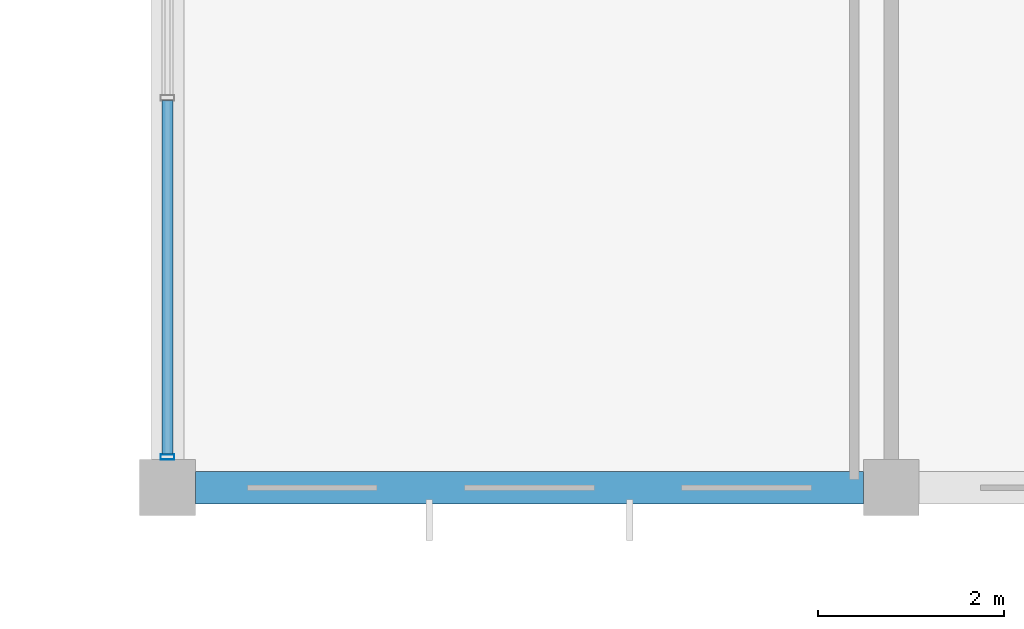
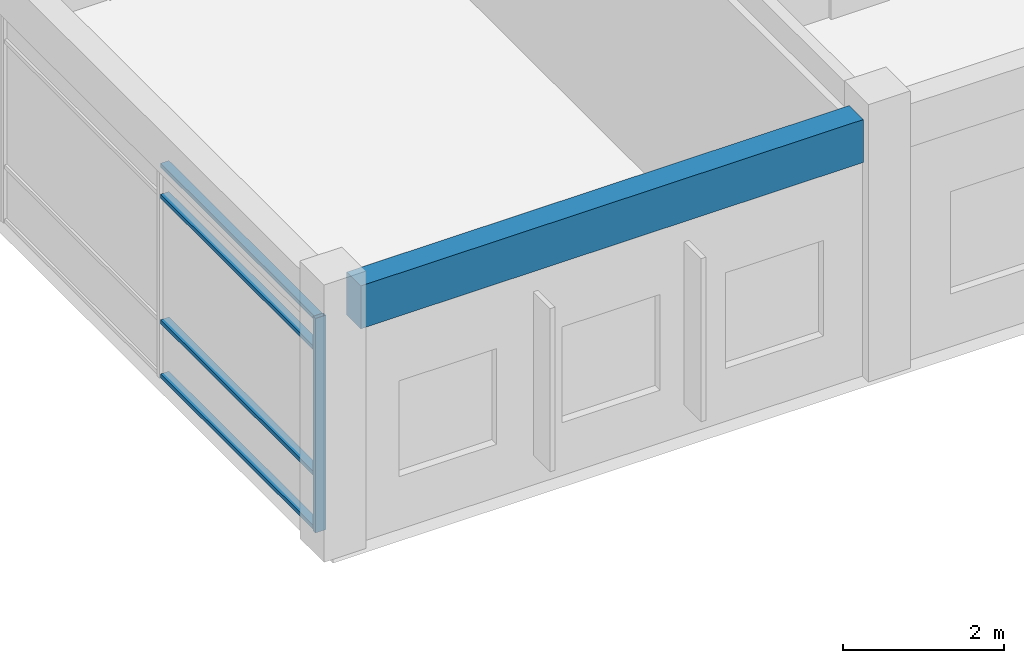
# One storey, part 8 of 32: 5 members, 1 beam, 1 element without a shape of its own.
"""IFC4 building model written with IfcOpenShell, lengths in metres."""

from ifc_helpers import new_model, si_unit, direction, frame, origin, origin_2d, place, context, subcontext, project, spatial, rectangle, hollow_rectangle, extrude, material, material_profile, profile_set, type_object, element, aggregate, save


model = new_model("IFC4")

# Units and contexts
model_context = context("Model", 3, precision=1e-05, world=origin(), true_north=direction((0.0, 1.0)))
body_context = subcontext(model_context, "Body", "Model", "MODEL_VIEW")
ifc_project = project(units=[si_unit("LENGTHUNIT", "METRE"), si_unit("AREAUNIT", "SQUARE_METRE"), si_unit("VOLUMEUNIT", "CUBIC_METRE"), si_unit("PLANEANGLEUNIT", "RADIAN"), si_unit("MASSUNIT", "GRAM", prefix="KILO"), si_unit("THERMODYNAMICTEMPERATUREUNIT", "KELVIN"), si_unit("POWERUNIT", "WATT")], contexts=[model_context])

# Site, building, storey
site_placement = place(None, origin())
site = spatial("IfcSite", under=ifc_project, at=site_placement, CompositionType="ELEMENT")
building_placement = place(site_placement, origin())
building = spatial("IfcBuilding", under=site, at=building_placement, Name="Srebrne Nadtorze General Hospital", CompositionType="ELEMENT")
storey_placement = place(building_placement, frame((0.0, 0.0, 29.699951171875)))
storey = spatial("IfcBuildingStorey", under=building, at=storey_placement, Name="L07", CompositionType="ELEMENT", Elevation=29.699951171875)

# Curtain wall, members
ifc_material_1 = material(Name="Anodised Aluminium", Category="aluminium")
curtain_wall_type = type_object("IfcCurtainWallType", Name="Unitised curtain wall 7800x3250", PredefinedType="NOTDEFINED", material=ifc_material_1)
curtain_wall_placement = place(storey_placement, origin())
curtain_wall = element("IfcCurtainWall", 1, at=curtain_wall_placement, inside=storey, type_object=curtain_wall_type, Name="Curtain wall CW-156", PredefinedType="NOTDEFINED")
ifc_material_2 = material(Name="Anodised Aluminium", Category="aluminium")
ifc_material_profile_1 = material_profile(ifc_material_2, hollow_rectangle(XDim=0.06005859375, YDim=0.14990234375, WallThickness=0.00390625, at=origin_2d()), Name="AL-MUL-60x150")
ifc_profile_set_1 = profile_set([ifc_material_profile_1], Name="Anodised Aluminium")
member_type_1 = type_object("IfcMemberType", Name="Curtain mullion 60x150", PredefinedType="MULLION", material=ifc_profile_set_1)
member_1_placement = place(storey_placement, frame((101.39990234375, 33.929931640625, 0.0), z_axis=(0.0, 0.0, 1.0), x_axis=(0.0, 1.0, 0.0)))
member_1 = element("IfcMember", 2, at=member_1_placement, type_object=member_type_1, Name="CW-156 mullion 1", PredefinedType="MULLION", context=body_context, shape_type="SweptSolid", body=[
    extrude(hollow_rectangle(XDim=0.06005859375, YDim=0.14990234375, WallThickness=0.00390625, at=origin_2d()), origin(), (0.0, 0.0, 1.0), 3.25),
])
ifc_material_3 = material(Name="Anodised Aluminium", Category="aluminium")
ifc_material_profile_2 = material_profile(ifc_material_3, hollow_rectangle(XDim=0.06005859375, YDim=0.1201171875, WallThickness=0.00390625, at=origin_2d()), Name="AL-TRN-60x120")
ifc_profile_set_2 = profile_set([ifc_material_profile_2], Name="Anodised Aluminium")
member_type_2 = type_object("IfcMemberType", Name="Curtain transom 60x120", PredefinedType="USERDEFINED", material=ifc_profile_set_2)
member_2_placement = place(storey_placement, frame((101.39990234375, 33.9599609375, 0.030029296875), z_axis=(0.0, 1.0, 0.0), x_axis=(0.0, 0.0, 1.0)))
member_2 = element("IfcMember", 3, at=member_2_placement, type_object=member_type_2, Name="CW-156 transom 1.1", ObjectType="TRANSOM", PredefinedType="USERDEFINED", context=body_context, shape_type="SweptSolid", body=[
    extrude(hollow_rectangle(XDim=0.06005859375, YDim=0.1201171875, WallThickness=0.00390625, at=origin_2d()), origin(), (0.0, 0.0, 1.0), 3.81005859375),
])
member_3_placement = place(storey_placement, frame((101.39990234375, 33.9599609375, 0.85009765625), z_axis=(0.0, 1.0, 0.0), x_axis=(0.0, 0.0, 1.0)))
member_3 = element("IfcMember", 4, at=member_3_placement, type_object=member_type_2, Name="CW-156 transom 1.2", ObjectType="TRANSOM", PredefinedType="USERDEFINED", context=body_context, shape_type="SweptSolid", body=[
    extrude(hollow_rectangle(XDim=0.06005859375, YDim=0.1201171875, WallThickness=0.00390625, at=origin_2d()), origin(), (0.0, 0.0, 1.0), 3.81005859375),
])
member_4_placement = place(storey_placement, frame((101.39990234375, 33.9599609375, 2.75), z_axis=(0.0, 1.0, 0.0), x_axis=(0.0, 0.0, 1.0)))
member_4 = element("IfcMember", 5, at=member_4_placement, type_object=member_type_2, Name="CW-156 transom 1.3", ObjectType="TRANSOM", PredefinedType="USERDEFINED", context=body_context, shape_type="SweptSolid", body=[
    extrude(hollow_rectangle(XDim=0.06005859375, YDim=0.1201171875, WallThickness=0.00390625, at=origin_2d()), origin(), (0.0, 0.0, 1.0), 3.81005859375),
])
member_5_placement = place(storey_placement, frame((101.39990234375, 33.9599609375, 3.219970703125), z_axis=(0.0, 1.0, 0.0), x_axis=(0.0, 0.0, 1.0)))
member_5 = element("IfcMember", 6, at=member_5_placement, type_object=member_type_2, Name="CW-156 transom 1.4", ObjectType="TRANSOM", PredefinedType="USERDEFINED", context=body_context, shape_type="SweptSolid", body=[
    extrude(hollow_rectangle(XDim=0.06005859375, YDim=0.1201171875, WallThickness=0.00390625, at=origin_2d()), origin(), (0.0, 0.0, 1.0), 3.81005859375),
])
aggregate(curtain_wall, [member_1, member_2, member_3, member_4, member_5])

# Beam
ifc_material_4 = material(Name="Concrete C35/45", Category="concrete")
ifc_material_profile_3 = material_profile(ifc_material_4, rectangle(XDim=0.35009765625, YDim=0.64990234375, at=origin_2d()), Name="RC-BM-350x650")
ifc_profile_set_3 = profile_set([ifc_material_profile_3], Name="Concrete C35/45")
beam_type = type_object("IfcBeamType", Name="Edge beam RC 350x650", PredefinedType="BEAM", material=ifc_profile_set_3)
beam_placement = place(storey_placement, frame((101.699951171875, 33.60009765625, 3.574951171875), z_axis=(1.0, 0.0, 0.0), x_axis=(0.0, 1.0, 0.0)))
element("IfcBeam", 7, at=beam_placement, inside=storey, type_object=beam_type, Name="Beam BM-L07-X-1253", PredefinedType="BEAM", context=body_context, shape_type="SweptSolid", body=[
    extrude(rectangle(XDim=0.35009765625, YDim=0.64990234375, at=origin_2d()), origin(), (0.0, 0.0, 1.0), 7.199951171875),
])

save(model, "model.ifc")
